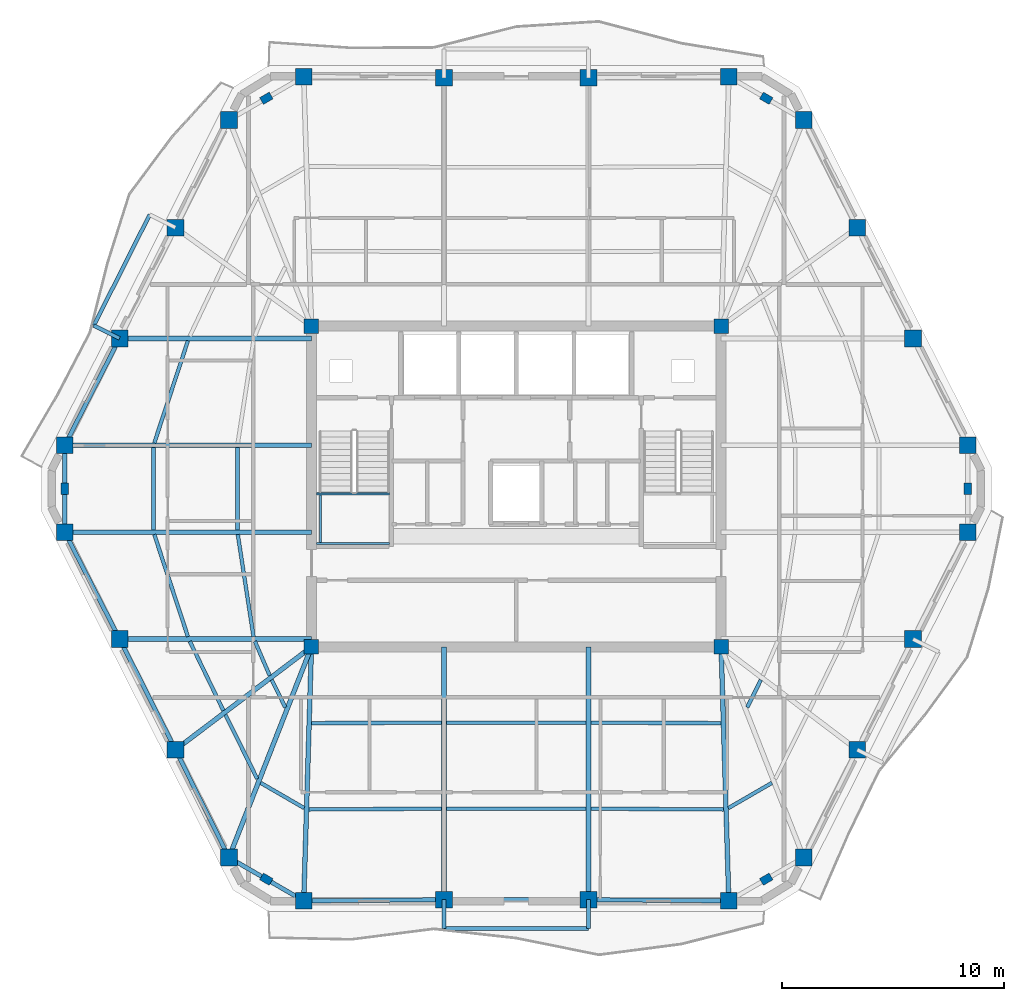
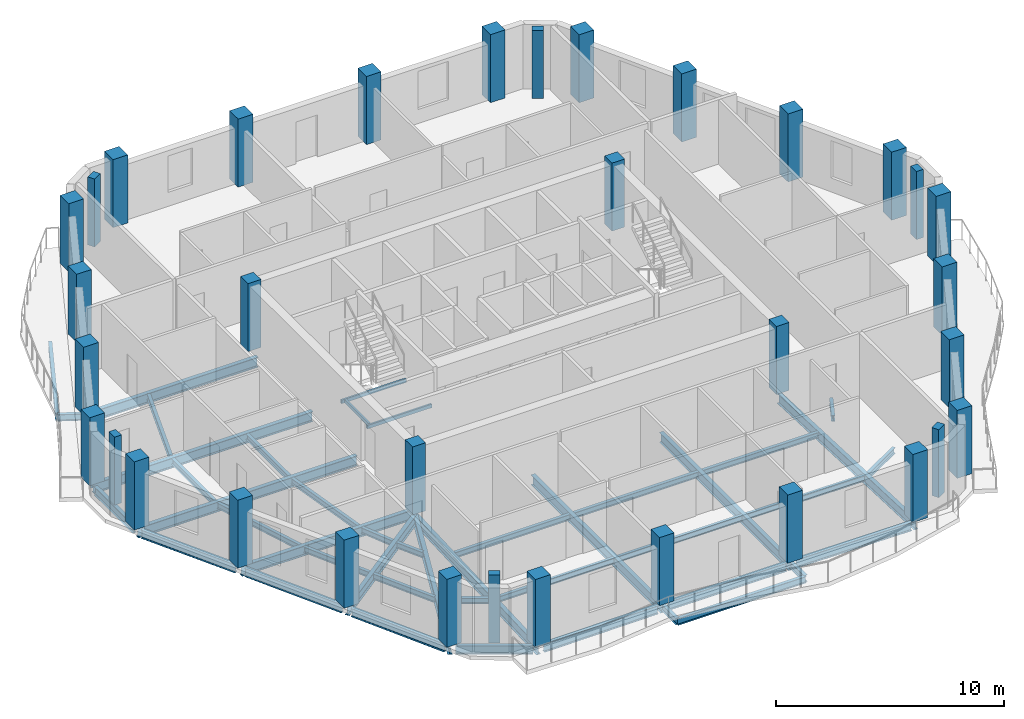
# One storey, part 1 of 11: 45 beams, 34 columns.
"""IFC4 building model written with IfcOpenShell, lengths in metres."""

from ifc_helpers import new_model, si_unit, direction, frame, origin, origin_2d, place, context, subcontext, project, spatial, rectangle, hollow_rectangle, i_section, extrude, material, material_profile, profile_set, type_object, element, save


model = new_model("IFC4")

# Units and contexts
model_context = context("Model", 3, precision=1e-05, world=origin(), true_north=direction((0.0, 1.0)))
body_context = subcontext(model_context, "Body", "Model", "MODEL_VIEW")
ifc_project = project(units=[si_unit("LENGTHUNIT", "METRE"), si_unit("AREAUNIT", "SQUARE_METRE"), si_unit("VOLUMEUNIT", "CUBIC_METRE"), si_unit("PLANEANGLEUNIT", "RADIAN"), si_unit("MASSUNIT", "GRAM", prefix="KILO")], contexts=[model_context])

# Site, building, storey
site_placement = place(None, origin())
site = spatial("IfcSite", under=ifc_project, at=site_placement, CompositionType="ELEMENT")
building_placement = place(site_placement, origin())
building = spatial("IfcBuilding", under=site, at=building_placement, Name="Cinnabar Lancet Tower", CompositionType="ELEMENT")
storey_placement = place(building_placement, frame((0.0, 0.0, 234.300048828125)))
storey = spatial("IfcBuildingStorey", under=building, at=storey_placement, Name="L62", CompositionType="ELEMENT", Elevation=234.300048828125)

# Columns
ifc_material_1 = material(Name="Concrete C50/60", Category="concrete")
ifc_material_profile_1 = material_profile(ifc_material_1, rectangle(XDim=0.64990234375, YDim=0.64990234375, at=origin_2d()), Name="RC-COL 650x650")
ifc_profile_set_1 = profile_set([ifc_material_profile_1], Name="Concrete C50/60")
column_type_1 = type_object("IfcColumnType", Name="STR-COL-CORE-650B", PredefinedType="COLUMN", material=ifc_profile_set_1)
for number, where, z_axis, x_axis, name in (
    (1, (23.175048828125, 18.675048828125, 0.0), (0.0, 0.0, 1.0), (1.0, 0.0, 0.0), "L62 Core Corner Column SW"),
    (2, (41.625, 18.675048828125, 0.0), (0.0, 0.0, 1.0), (1.0, 0.0, 0.0), "L62 Core Corner Column SE"),
    (3, (41.625, 33.125, 0.0), (0.0, 0.0, 1.0), (1.0, 0.0, 0.0), "L62 Core Corner Column NE"),
    (4, (23.175048828125, 33.125, 0.0), (0.0, 0.0, 1.0), (1.0, 0.0, 0.0), "L62 Core Corner Column NW"),
):
    element("IfcColumn", number, at=place(storey_placement, frame(where, z_axis=z_axis, x_axis=x_axis)), inside=storey, type_object=column_type_1, Name=name, PredefinedType="COLUMN", context=body_context, shape_type="SweptSolid", body=[
        extrude(rectangle(XDim=0.64990234375, YDim=0.64990234375, at=origin_2d()), origin(), (0.0, 0.0, 1.0), 3.64990234375),
    ])
ifc_material_2 = material(Name="Concrete C60/75", Category="concrete")
ifc_material_profile_2 = material_profile(ifc_material_2, rectangle(XDim=0.5, YDim=0.35009765625, at=origin_2d()), Name="RC-PIL 500x350")
ifc_profile_set_2 = profile_set([ifc_material_profile_2], Name="Concrete C60/75")
column_type_2 = type_object("IfcColumnType", Name="STR-COL-PIL-500", PredefinedType="PILASTER", material=ifc_profile_set_2)
for number, where, z_axis, x_axis, name in (
    (5, (21.14306640625, 8.215087890625, 0.0), (0.0, 0.0, 1.0), (0.865256437757, -0.501329529272, 0.0), "L62 Chamfered Corner Pilaster 1"),
    (6, (43.656982421875, 8.215087890625, 0.0), (0.0, 0.0, 1.0), (0.865256437757, 0.501329529272, 0.0), "L62 Chamfered Corner Pilaster 2"),
    (7, (52.737060546875, 25.800048828125, 0.0), (0.0, 0.0, 1.0), (0.0, 1.0, 0.0), "L62 Chamfered Corner Pilaster 3"),
    (8, (43.656982421875, 43.385009765625, 0.0), (0.0, 0.0, 1.0), (-0.865256437757, 0.501329529272, 0.0), "L62 Chamfered Corner Pilaster 4"),
    (9, (21.14306640625, 43.385009765625, 0.0), (0.0, 0.0, 1.0), (-0.865256437757, -0.501329529272, 0.0), "L62 Chamfered Corner Pilaster 5"),
    (10, (12.06298828125, 25.800048828125, 0.0), (0.0, 0.0, 1.0), (0.0, -1.0, 0.0), "L62 Chamfered Corner Pilaster 6"),
):
    element("IfcColumn", number, at=place(storey_placement, frame(where, z_axis=z_axis, x_axis=x_axis)), inside=storey, type_object=column_type_2, Name=name, PredefinedType="PILASTER", context=body_context, shape_type="SweptSolid", body=[
        extrude(rectangle(XDim=0.5, YDim=0.35009765625, at=origin_2d()), origin(), (0.0, 0.0, 1.0), 3.64990234375),
    ])
ifc_material_3 = material(Name="Concrete C50/60", Category="concrete")
ifc_material_profile_3 = material_profile(ifc_material_3, rectangle(XDim=0.75, YDim=0.75, at=origin_2d()), Name="RC-COL 750x750")
ifc_profile_set_3 = profile_set([ifc_material_profile_3], Name="Concrete C50/60")
column_type_3 = type_object("IfcColumnType", Name="STR-COL-TUBE-750", PredefinedType="COLUMN", material=ifc_profile_set_3)
for number, where, z_axis, x_axis, name in (
    (11, (22.827880859375, 7.239013671875, 0.0), (0.0, 0.0, 1.0), (1.0, 0.0, 0.0), "L62 Perimeter Tube Column 1"),
    (12, (29.14599609375, 7.2919921875, 0.0), (0.0, 0.0, 1.0), (1.0, 0.0, 0.0), "L62 Perimeter Tube Column 2"),
    (13, (35.654052734375, 7.2919921875, 0.0), (0.0, 0.0, 1.0), (1.0, 0.0, 0.0), "L62 Perimeter Tube Column 3"),
    (14, (41.971923828125, 7.239013671875, 0.0), (0.0, 0.0, 1.0), (1.0, 0.0, 0.0), "L62 Perimeter Tube Column 4"),
    (15, (45.341064453125, 9.19091796875, 0.0), (0.0, 0.0, 1.0), (1.0, 0.0, 0.0), "L62 Perimeter Tube Column 5"),
    (16, (47.7490234375, 14.0458984375, 0.0), (0.0, 0.0, 1.0), (1.0, 0.0, 0.0), "L62 Perimeter Tube Column 6"),
    (17, (50.263916015625, 19.032958984375, 0.0), (0.0, 0.0, 1.0), (1.0, 0.0, 0.0), "L62 Perimeter Tube Column 7"),
    (18, (52.737060546875, 23.844970703125, 0.0), (0.0, 0.0, 1.0), (1.0, 0.0, 0.0), "L62 Perimeter Tube Column 8"),
    (19, (52.737060546875, 27.7548828125, 0.0), (0.0, 0.0, 1.0), (1.0, 0.0, 0.0), "L62 Perimeter Tube Column 9"),
    (20, (50.263916015625, 32.56689453125, 0.0), (0.0, 0.0, 1.0), (1.0, 0.0, 0.0), "L62 Perimeter Tube Column 10"),
    (21, (47.7490234375, 37.553955078125, 0.0), (0.0, 0.0, 1.0), (1.0, 0.0, 0.0), "L62 Perimeter Tube Column 11"),
    (22, (45.341064453125, 42.408935546875, 0.0), (0.0, 0.0, 1.0), (1.0, 0.0, 0.0), "L62 Perimeter Tube Column 12"),
    (23, (41.971923828125, 44.361083984375, 0.0), (0.0, 0.0, 1.0), (1.0, 0.0, 0.0), "L62 Perimeter Tube Column 13"),
    (24, (35.654052734375, 44.30810546875, 0.0), (0.0, 0.0, 1.0), (1.0, 0.0, 0.0), "L62 Perimeter Tube Column 14"),
    (25, (29.14599609375, 44.30810546875, 0.0), (0.0, 0.0, 1.0), (1.0, 0.0, 0.0), "L62 Perimeter Tube Column 15"),
    (26, (22.827880859375, 44.361083984375, 0.0), (0.0, 0.0, 1.0), (1.0, 0.0, 0.0), "L62 Perimeter Tube Column 16"),
    (27, (19.458984375, 42.408935546875, 0.0), (0.0, 0.0, 1.0), (1.0, 0.0, 0.0), "L62 Perimeter Tube Column 17"),
    (28, (17.051025390625, 37.553955078125, 0.0), (0.0, 0.0, 1.0), (1.0, 0.0, 0.0), "L62 Perimeter Tube Column 18"),
    (29, (14.535888671875, 32.56689453125, 0.0), (0.0, 0.0, 1.0), (1.0, 0.0, 0.0), "L62 Perimeter Tube Column 19"),
    (30, (12.06298828125, 27.7548828125, 0.0), (0.0, 0.0, 1.0), (1.0, 0.0, 0.0), "L62 Perimeter Tube Column 20"),
    (31, (12.06298828125, 23.844970703125, 0.0), (0.0, 0.0, 1.0), (1.0, 0.0, 0.0), "L62 Perimeter Tube Column 21"),
    (32, (14.535888671875, 19.032958984375, 0.0), (0.0, 0.0, 1.0), (1.0, 0.0, 0.0), "L62 Perimeter Tube Column 22"),
    (33, (17.051025390625, 14.0458984375, 0.0), (0.0, 0.0, 1.0), (1.0, 0.0, 0.0), "L62 Perimeter Tube Column 23"),
    (34, (19.458984375, 9.19091796875, 0.0), (0.0, 0.0, 1.0), (1.0, 0.0, 0.0), "L62 Perimeter Tube Column 24"),
):
    element("IfcColumn", number, at=place(storey_placement, frame(where, z_axis=z_axis, x_axis=x_axis)), inside=storey, type_object=column_type_3, Name=name, PredefinedType="COLUMN", context=body_context, shape_type="SweptSolid", body=[
        extrude(rectangle(XDim=0.75, YDim=0.75, at=origin_2d()), origin(), (0.0, 0.0, 1.0), 3.64990234375),
    ])

# Beams
ifc_material_4 = material(Name="Structural steel S355", Category="steel")
ifc_material_profile_4 = material_profile(ifc_material_4, i_section(OverallWidth=0.1650390625, OverallDepth=0.303466796875, WebThickness=0.006103515625, FlangeThickness=0.01025390625, FilletRadius=0.0087890625, at=origin_2d()), Name="UKB 305x165x40")
ifc_profile_set_4 = profile_set([ifc_material_profile_4], Name="Structural steel S355")
beam_type_1 = type_object("IfcBeamType", Name="STR-BM-JST-305", PredefinedType="JOIST", material=ifc_profile_set_4)
beam_1_placement = place(storey_placement, frame((16.097900390625, 23.739990234375, -0.35205078125), z_axis=(0.312536616989, -0.949905712711, 0.0), x_axis=(0.949905712711, 0.312536616989, 0.0)))
element("IfcBeam", 35, at=beam_1_placement, inside=storey, type_object=beam_type_1, Name="L62 Secondary Floor Joist 1", PredefinedType="JOIST", context=body_context, shape_type="SweptSolid", body=[
    extrude(i_section(OverallWidth=0.1650390625, OverallDepth=0.303466796875, WebThickness=0.006103515625, FlangeThickness=0.01025390625, FilletRadius=0.0087890625, at=origin_2d()), origin(), (0.0, 0.0, 1.0), 4.8447265625),
])
beam_2_placement = place(storey_placement, frame((19.85791015625, 23.739990234375, -0.35205078125), z_axis=(0.152262059154, -0.988340156698, 0.0), x_axis=(0.988340156698, 0.152262059154, 0.0)))
element("IfcBeam", 36, at=beam_2_placement, inside=storey, type_object=beam_type_1, Name="L62 Secondary Floor Joist 2", PredefinedType="JOIST", context=body_context, shape_type="SweptSolid", body=[
    extrude(i_section(OverallWidth=0.1650390625, OverallDepth=0.303466796875, WebThickness=0.006103515625, FlangeThickness=0.01025390625, FilletRadius=0.0087890625, at=origin_2d()), origin(), (0.0, 0.0, 1.0), 4.65625),
])
beam_3_placement = place(storey_placement, frame((17.697021484375, 18.927978515625, -0.35205078125), z_axis=(0.43610936109, -0.899893674369, 0.0), x_axis=(0.899893674369, 0.43610936109, 0.0)))
element("IfcBeam", 37, at=beam_3_placement, inside=storey, type_object=beam_type_1, Name="L62 Secondary Floor Joist 3", PredefinedType="JOIST", context=body_context, shape_type="SweptSolid", body=[
    extrude(i_section(OverallWidth=0.1650390625, OverallDepth=0.303466796875, WebThickness=0.006103515625, FlangeThickness=0.01025390625, FilletRadius=0.0087890625, at=origin_2d()), origin(), (0.0, 0.0, 1.0), 3.467041015625),
])
beam_4_placement = place(storey_placement, frame((20.62890625, 18.927978515625, -0.35205078125), z_axis=(0.396302440144, -0.91812002262, 0.0), x_axis=(0.91812002262, 0.396302440144, 0.0)))
element("IfcBeam", 38, at=beam_4_placement, inside=storey, type_object=beam_type_1, Name="L62 Secondary Floor Joist 4", PredefinedType="JOIST", context=body_context, shape_type="SweptSolid", body=[
    extrude(i_section(OverallWidth=0.1650390625, OverallDepth=0.303466796875, WebThickness=0.006103515625, FlangeThickness=0.01025390625, FilletRadius=0.0087890625, at=origin_2d()), origin(), (0.0, 0.0, 1.0), 1.6806640625),
])
beam_5_placement = place(storey_placement, frame((19.302978515625, 15.616943359375, -0.35205078125), z_axis=(0.444330443712, -0.895862967641, 0.0), x_axis=(0.895862967641, 0.444330443712, 0.0)))
element("IfcBeam", 39, at=beam_5_placement, inside=storey, type_object=beam_type_1, Name="L62 Secondary Floor Joist 5", PredefinedType="JOIST", context=body_context, shape_type="SweptSolid", body=[
    extrude(i_section(OverallWidth=0.1650390625, OverallDepth=0.303466796875, WebThickness=0.006103515625, FlangeThickness=0.01025390625, FilletRadius=0.0087890625, at=origin_2d()), origin(), (0.0, 0.0, 1.0), 3.220458984375),
])
beam_6_placement = place(storey_placement, frame((21.385009765625, 17.19091796875, -0.35205078125), z_axis=(0.444093192127, -0.89598060063, 0.0), x_axis=(0.89598060063, 0.444093192127, 0.0)))
element("IfcBeam", 40, at=beam_6_placement, inside=storey, type_object=beam_type_1, Name="L62 Secondary Floor Joist 6", PredefinedType="JOIST", context=body_context, shape_type="SweptSolid", body=[
    extrude(i_section(OverallWidth=0.1650390625, OverallDepth=0.303466796875, WebThickness=0.006103515625, FlangeThickness=0.01025390625, FilletRadius=0.0087890625, at=origin_2d()), origin(), (0.0, 0.0, 1.0), 1.378173828125),
])
beam_7_placement = place(storey_placement, frame((20.887939453125, 12.552001953125, -0.35205078125), z_axis=(0.865426285481, -0.501036270542, 0.0), x_axis=(0.501036270542, 0.865426285481, 0.0)))
element("IfcBeam", 41, at=beam_7_placement, inside=storey, type_object=beam_type_1, Name="L62 Secondary Floor Joist 7", PredefinedType="JOIST", context=body_context, shape_type="SweptSolid", body=[
    extrude(i_section(OverallWidth=0.1650390625, OverallDepth=0.303466796875, WebThickness=0.006103515625, FlangeThickness=0.01025390625, FilletRadius=0.0087890625, at=origin_2d()), origin(), (0.0, 0.0, 1.0), 2.267333984375),
])
beam_8_placement = place(storey_placement, frame((23.05810546875, 11.35693359375, -0.35205078125), z_axis=(0.999985712428, 0.005345553266, 0.0), x_axis=(-0.005345553266, 0.999985712428, 0.0)))
element("IfcBeam", 42, at=beam_8_placement, inside=storey, type_object=beam_type_1, Name="L62 Secondary Floor Joist 8", PredefinedType="JOIST", context=body_context, shape_type="SweptSolid", body=[
    extrude(i_section(OverallWidth=0.1650390625, OverallDepth=0.303466796875, WebThickness=0.006103515625, FlangeThickness=0.01025390625, FilletRadius=0.0087890625, at=origin_2d()), origin(), (0.0, 0.0, 1.0), 5.98291015625),
])
beam_9_placement = place(storey_placement, frame((23.176025390625, 15.243896484375, -0.35205078125), z_axis=(0.999996226008, 0.002747356738, 0.0), x_axis=(-0.002747356738, 0.999996226008, 0.0)))
element("IfcBeam", 43, at=beam_9_placement, inside=storey, type_object=beam_type_1, Name="L62 Secondary Floor Joist 9", PredefinedType="JOIST", context=body_context, shape_type="SweptSolid", body=[
    extrude(i_section(OverallWidth=0.1650390625, OverallDepth=0.303466796875, WebThickness=0.006103515625, FlangeThickness=0.01025390625, FilletRadius=0.0087890625, at=origin_2d()), origin(), (0.0, 0.0, 1.0), 5.864990234375),
])
for number, where, z_axis, x_axis, name in (
    (44, (29.2509765625, 11.389892578125, -0.35205078125), (1.0, 0.0, 0.0), (0.0, 1.0, 0.0), "L62 Secondary Floor Joist 10"),
    (45, (29.2509765625, 15.260009765625, -0.35205078125), (1.0, 0.0, 0.0), (0.0, 1.0, 0.0), "L62 Secondary Floor Joist 11"),
):
    element("IfcBeam", number, at=place(storey_placement, frame(where, z_axis=z_axis, x_axis=x_axis)), inside=storey, type_object=beam_type_1, Name=name, PredefinedType="JOIST", context=body_context, shape_type="SweptSolid", body=[
        extrude(i_section(OverallWidth=0.1650390625, OverallDepth=0.303466796875, WebThickness=0.006103515625, FlangeThickness=0.01025390625, FilletRadius=0.0087890625, at=origin_2d()), origin(), (0.0, 0.0, 1.0), 6.298095703125),
    ])
beam_10_placement = place(storey_placement, frame((35.759033203125, 11.388916015625, -0.35205078125), z_axis=(0.999985712428, -0.005345553266, 0.0), x_axis=(0.005345553266, 0.999985712428, 0.0)))
element("IfcBeam", 46, at=beam_10_placement, inside=storey, type_object=beam_type_1, Name="L62 Secondary Floor Joist 12", PredefinedType="JOIST", context=body_context, shape_type="SweptSolid", body=[
    extrude(i_section(OverallWidth=0.1650390625, OverallDepth=0.303466796875, WebThickness=0.006103515625, FlangeThickness=0.01025390625, FilletRadius=0.0087890625, at=origin_2d()), origin(), (0.0, 0.0, 1.0), 5.98291015625),
])
beam_11_placement = place(storey_placement, frame((35.759033203125, 15.260009765625, -0.35205078125), z_axis=(0.999996226008, -0.002747356738, 0.0), x_axis=(0.002747356738, 0.999996226008, 0.0)))
element("IfcBeam", 47, at=beam_11_placement, inside=storey, type_object=beam_type_1, Name="L62 Secondary Floor Joist 13", PredefinedType="JOIST", context=body_context, shape_type="SweptSolid", body=[
    extrude(i_section(OverallWidth=0.1650390625, OverallDepth=0.303466796875, WebThickness=0.006103515625, FlangeThickness=0.01025390625, FilletRadius=0.0087890625, at=origin_2d()), origin(), (0.0, 0.0, 1.0), 5.864990234375),
])
beam_12_placement = place(storey_placement, frame((41.949951171875, 11.416015625, -0.35205078125), z_axis=(0.865426285481, 0.501036270542, 0.0), x_axis=(-0.501036270542, 0.865426285481, 0.0)))
element("IfcBeam", 48, at=beam_12_placement, inside=storey, type_object=beam_type_1, Name="L62 Secondary Floor Joist 14", PredefinedType="JOIST", context=body_context, shape_type="SweptSolid", body=[
    extrude(i_section(OverallWidth=0.1650390625, OverallDepth=0.303466796875, WebThickness=0.006103515625, FlangeThickness=0.01025390625, FilletRadius=0.0087890625, at=origin_2d()), origin(), (0.0, 0.0, 1.0), 2.267333984375),
])
beam_13_placement = place(storey_placement, frame((42.802978515625, 15.9560546875, -0.35205078125), z_axis=(0.444093192127, 0.89598060063, 0.0), x_axis=(-0.89598060063, 0.444093192127, 0.0)))
element("IfcBeam", 49, at=beam_13_placement, inside=storey, type_object=beam_type_1, Name="L62 Secondary Floor Joist 16", PredefinedType="JOIST", context=body_context, shape_type="SweptSolid", body=[
    extrude(i_section(OverallWidth=0.1650390625, OverallDepth=0.303466796875, WebThickness=0.006103515625, FlangeThickness=0.01025390625, FilletRadius=0.0087890625, at=origin_2d()), origin(), (0.0, 0.0, 1.0), 1.378173828125),
])
beam_14_placement = place(storey_placement, frame((17.612060546875, 32.4619140625, -0.35205078125), z_axis=(-0.312551578319, -0.949900790025, 0.0), x_axis=(0.949900790025, -0.312551578319, 0.0)))
element("IfcBeam", 50, at=beam_14_placement, inside=storey, type_object=beam_type_1, Name="L62 Secondary Floor Joist 41", PredefinedType="JOIST", context=body_context, shape_type="SweptSolid", body=[
    extrude(i_section(OverallWidth=0.1650390625, OverallDepth=0.303466796875, WebThickness=0.006103515625, FlangeThickness=0.01025390625, FilletRadius=0.0087890625, at=origin_2d()), origin(), (0.0, 0.0, 1.0), 4.844482421875),
])
for number, where, z_axis, x_axis, name in (
    (51, (16.06298828125, 27.64990234375, -0.35205078125), (0.0, -1.0, 0.0), (1.0, 0.0, 0.0), "L62 Secondary Floor Joist 43"),
    (52, (19.841064453125, 27.64990234375, -0.35205078125), (0.0, -1.0, 0.0), (1.0, 0.0, 0.0), "L62 Secondary Floor Joist 44"),
):
    element("IfcBeam", number, at=place(storey_placement, frame(where, z_axis=z_axis, x_axis=x_axis)), inside=storey, type_object=beam_type_1, Name=name, PredefinedType="JOIST", context=body_context, shape_type="SweptSolid", body=[
        extrude(i_section(OverallWidth=0.1650390625, OverallDepth=0.303466796875, WebThickness=0.006103515625, FlangeThickness=0.01025390625, FilletRadius=0.0087890625, at=origin_2d()), origin(), (0.0, 0.0, 1.0), 3.699951171875),
    ])
ifc_material_5 = material(Name="Structural steel S355", Category="steel")
ifc_material_profile_5 = material_profile(ifc_material_5, hollow_rectangle(XDim=0.10009765625, YDim=0.199951171875, WallThickness=0.008056640625, InnerFilletRadius=0.00390625, OuterFilletRadius=0.011962890625, at=origin_2d()), Name="RHS 200x100x8")
ifc_profile_set_5 = profile_set([ifc_material_profile_5], Name="Structural steel S355")
beam_type_2 = type_object("IfcBeamType", Name="STR-BM-LND-203", PredefinedType="BEAM", material=ifc_profile_set_5)
for number, where, z_axis, x_axis, name in (
    (53, (23.39990234375, 23.330078125, 1.52490234375), (1.0, 0.0, 0.0), (0.0, 1.0, 0.0), "L62 ST-1-L62 Landing Support Beam S"),
    (54, (23.39990234375, 25.570068359375, 1.52490234375), (1.0, 0.0, 0.0), (0.0, 1.0, 0.0), "L62 ST-1-L62 Landing Support Beam N"),
):
    element("IfcBeam", number, at=place(storey_placement, frame(where, z_axis=z_axis, x_axis=x_axis)), inside=storey, type_object=beam_type_2, Name=name, PredefinedType="BEAM", context=body_context, shape_type="SweptSolid", body=[
        extrude(hollow_rectangle(XDim=0.10009765625, YDim=0.199951171875, WallThickness=0.008056640625, InnerFilletRadius=0.00390625, OuterFilletRadius=0.011962890625, at=origin_2d()), origin(), (0.0, 0.0, 1.0), 3.280029296875),
    ])
beam_15_placement = place(storey_placement, frame((23.580078125, 23.3798828125, 1.52490234375), z_axis=(0.0, 1.0, 0.0), x_axis=(-1.0, 0.0, 0.0)))
element("IfcBeam", 55, at=beam_15_placement, inside=storey, type_object=beam_type_2, Name="L62 ST-1-L62 Landing Side Trimmer Beam", PredefinedType="BEAM", context=body_context, shape_type="SweptSolid", body=[
    extrude(hollow_rectangle(XDim=0.10009765625, YDim=0.199951171875, WallThickness=0.008056640625, InnerFilletRadius=0.00390625, OuterFilletRadius=0.011962890625, at=origin_2d()), origin(), (0.0, 0.0, 1.0), 2.14013671875),
])
ifc_material_6 = material(Name="Structural steel S355", Category="steel")
ifc_material_profile_6 = material_profile(ifc_material_6, i_section(OverallWidth=0.1904296875, OverallDepth=0.45703125, WebThickness=0.009033203125, FlangeThickness=0.014404296875, FilletRadius=0.01025390625, at=origin_2d()), Name="UKB 457x191x74")
ifc_profile_set_6 = profile_set([ifc_material_profile_6], Name="Structural steel S355")
beam_type_3 = type_object("IfcBeamType", Name="STR-BM-SPN-457", PredefinedType="SPANDREL", material=ifc_profile_set_6)
beam_16_placement = place(storey_placement, frame((23.077880859375, 7.240966796875, -0.428955078125), z_axis=(0.999964432412, 0.008434092187, 0.0), x_axis=(-0.008434092187, 0.999964432412, 0.0)))
element("IfcBeam", 56, at=beam_16_placement, inside=storey, type_object=beam_type_3, Name="L62 Perimeter Spandrel 1", PredefinedType="SPANDREL", context=body_context, shape_type="SweptSolid", body=[
    extrude(i_section(OverallWidth=0.1904296875, OverallDepth=0.45703125, WebThickness=0.009033203125, FlangeThickness=0.014404296875, FilletRadius=0.01025390625, at=origin_2d()), origin(), (0.0, 0.0, 1.0), 5.818359375),
])
beam_17_placement = place(storey_placement, frame((29.39599609375, 7.2919921875, -0.428955078125), z_axis=(1.0, 0.0, 0.0), x_axis=(0.0, 1.0, 0.0)))
element("IfcBeam", 57, at=beam_17_placement, inside=storey, type_object=beam_type_3, Name="L62 Perimeter Spandrel 2", PredefinedType="SPANDREL", context=body_context, shape_type="SweptSolid", body=[
    extrude(i_section(OverallWidth=0.1904296875, OverallDepth=0.45703125, WebThickness=0.009033203125, FlangeThickness=0.014404296875, FilletRadius=0.01025390625, at=origin_2d()), origin(), (0.0, 0.0, 1.0), 6.008056640625),
])
beam_18_placement = place(storey_placement, frame((35.904052734375, 7.2900390625, -0.428955078125), z_axis=(0.999964429427, -0.00843444609, 0.0), x_axis=(0.00843444609, 0.999964429427, 0.0)))
element("IfcBeam", 58, at=beam_18_placement, inside=storey, type_object=beam_type_3, Name="L62 Perimeter Spandrel 3", PredefinedType="SPANDREL", context=body_context, shape_type="SweptSolid", body=[
    extrude(i_section(OverallWidth=0.1904296875, OverallDepth=0.45703125, WebThickness=0.009033203125, FlangeThickness=0.014404296875, FilletRadius=0.01025390625, at=origin_2d()), origin(), (0.0, 0.0, 1.0), 5.818115234375),
])
beam_19_placement = place(storey_placement, frame((14.422119140625, 32.344970703125, -0.428955078125), z_axis=(-0.457148063427, -0.889390604912, 0.0), x_axis=(0.889390604912, -0.457148063427, 0.0)))
element("IfcBeam", 59, at=beam_19_placement, inside=storey, type_object=beam_type_3, Name="L62 Perimeter Spandrel 19", PredefinedType="SPANDREL", context=body_context, shape_type="SweptSolid", body=[
    extrude(i_section(OverallWidth=0.1904296875, OverallDepth=0.45703125, WebThickness=0.009033203125, FlangeThickness=0.014404296875, FilletRadius=0.01025390625, at=origin_2d()), origin(), (0.0, 0.0, 1.0), 4.9111328125),
])
beam_20_placement = place(storey_placement, frame((12.06298828125, 27.5048828125, -0.428955078125), z_axis=(0.0, -1.0, 0.0), x_axis=(1.0, 0.0, 0.0)))
element("IfcBeam", 60, at=beam_20_placement, inside=storey, type_object=beam_type_3, Name="L62 Perimeter Spandrel 20", PredefinedType="SPANDREL", context=body_context, shape_type="SweptSolid", body=[
    extrude(i_section(OverallWidth=0.1904296875, OverallDepth=0.45703125, WebThickness=0.009033203125, FlangeThickness=0.014404296875, FilletRadius=0.01025390625, at=origin_2d()), origin(), (0.0, 0.0, 1.0), 3.409912109375),
])
beam_21_placement = place(storey_placement, frame((12.177001953125, 23.623046875, -0.428955078125), z_axis=(0.457127852293, -0.889400993174, 0.0), x_axis=(0.889400993174, 0.457127852293, 0.0)))
element("IfcBeam", 61, at=beam_21_placement, inside=storey, type_object=beam_type_3, Name="L62 Perimeter Spandrel 21", PredefinedType="SPANDREL", context=body_context, shape_type="SweptSolid", body=[
    extrude(i_section(OverallWidth=0.1904296875, OverallDepth=0.45703125, WebThickness=0.009033203125, FlangeThickness=0.014404296875, FilletRadius=0.01025390625, at=origin_2d()), origin(), (0.0, 0.0, 1.0), 4.911376953125),
])
beam_22_placement = place(storey_placement, frame((14.64892578125, 18.81005859375, -0.428955078125), z_axis=(0.450130146726, -0.892962961722, 0.0), x_axis=(0.892962961722, 0.450130146726, 0.0)))
element("IfcBeam", 62, at=beam_22_placement, inside=storey, type_object=beam_type_3, Name="L62 Perimeter Spandrel 22", PredefinedType="SPANDREL", context=body_context, shape_type="SweptSolid", body=[
    extrude(i_section(OverallWidth=0.1904296875, OverallDepth=0.45703125, WebThickness=0.009033203125, FlangeThickness=0.014404296875, FilletRadius=0.01025390625, at=origin_2d()), origin(), (0.0, 0.0, 1.0), 5.08544921875),
])
beam_23_placement = place(storey_placement, frame((17.162109375, 13.822021484375, -0.428955078125), z_axis=(0.44433276947, -0.895861814107, 0.0), x_axis=(0.895861814107, 0.44433276947, 0.0)))
element("IfcBeam", 63, at=beam_23_placement, inside=storey, type_object=beam_type_3, Name="L62 Perimeter Spandrel 23", PredefinedType="SPANDREL", context=body_context, shape_type="SweptSolid", body=[
    extrude(i_section(OverallWidth=0.1904296875, OverallDepth=0.45703125, WebThickness=0.009033203125, FlangeThickness=0.014404296875, FilletRadius=0.01025390625, at=origin_2d()), origin(), (0.0, 0.0, 1.0), 4.919189453125),
])
beam_24_placement = place(storey_placement, frame((19.675048828125, 9.06591796875, -0.428955078125), z_axis=(0.865230894194, -0.50137361292, 0.0), x_axis=(0.50137361292, 0.865230894194, 0.0)))
element("IfcBeam", 64, at=beam_24_placement, inside=storey, type_object=beam_type_3, Name="L62 Perimeter Spandrel 24", PredefinedType="SPANDREL", context=body_context, shape_type="SweptSolid", body=[
    extrude(i_section(OverallWidth=0.1904296875, OverallDepth=0.45703125, WebThickness=0.009033203125, FlangeThickness=0.014404296875, FilletRadius=0.01025390625, at=origin_2d()), origin(), (0.0, 0.0, 1.0), 3.39453125),
])
ifc_material_7 = material(Name="Structural steel S355", Category="steel")
ifc_material_profile_7 = material_profile(ifc_material_7, i_section(OverallWidth=0.209228515625, OverallDepth=0.533203125, WebThickness=0.010009765625, FlangeThickness=0.015625, FilletRadius=0.0126953125, at=origin_2d()), Name="UKB 533x210x92")
ifc_profile_set_7 = profile_set([ifc_material_profile_7], Name="Structural steel S355")
beam_type_4 = type_object("IfcBeamType", Name="STR-BM-UKB533-92", PredefinedType="BEAM", material=ifc_profile_set_7)
beam_25_placement = place(storey_placement, frame((17.051025390625, 14.0458984375, -0.467041015625), z_axis=(0.797735075719, 0.603008083667, 0.0), x_axis=(-0.603008083667, 0.797735075719, 0.0)))
element("IfcBeam", 65, at=beam_25_placement, inside=storey, type_object=beam_type_4, Name="L62 Corner Collector Girder 1", PredefinedType="BEAM", context=body_context, shape_type="SweptSolid", body=[
    extrude(i_section(OverallWidth=0.209228515625, OverallDepth=0.533203125, WebThickness=0.010009765625, FlangeThickness=0.015625, FilletRadius=0.0126953125, at=origin_2d()), origin(), (0.0, 0.0, 1.0), 7.6767578125),
])
beam_26_placement = place(storey_placement, frame((22.827880859375, 7.239013671875, -0.467041015625), z_axis=(0.030343393029, 0.999539533235, 0.0), x_axis=(-0.999539533235, 0.030343393029, 0.0)))
element("IfcBeam", 66, at=beam_26_placement, inside=storey, type_object=beam_type_4, Name="L62 Primary Floor Girder 1", PredefinedType="BEAM", context=body_context, shape_type="SweptSolid", body=[
    extrude(i_section(OverallWidth=0.209228515625, OverallDepth=0.533203125, WebThickness=0.010009765625, FlangeThickness=0.015625, FilletRadius=0.0126953125, at=origin_2d()), origin(), (0.0, 0.0, 1.0), 11.44140625),
])
for number, where, z_axis, x_axis, name in (
    (67, (29.14599609375, 7.2919921875, -0.467041015625), (0.0, 1.0, 0.0), (-1.0, 0.0, 0.0), "L62 Primary Floor Girder 2"),
    (68, (35.654052734375, 7.2919921875, -0.467041015625), (0.0, 1.0, 0.0), (-1.0, 0.0, 0.0), "L62 Primary Floor Girder 3"),
):
    element("IfcBeam", number, at=place(storey_placement, frame(where, z_axis=z_axis, x_axis=x_axis)), inside=storey, type_object=beam_type_4, Name=name, PredefinedType="BEAM", context=body_context, shape_type="SweptSolid", body=[
        extrude(i_section(OverallWidth=0.209228515625, OverallDepth=0.533203125, WebThickness=0.010009765625, FlangeThickness=0.015625, FilletRadius=0.0126953125, at=origin_2d()), origin(), (0.0, 0.0, 1.0), 11.383056640625),
    ])
beam_27_placement = place(storey_placement, frame((41.971923828125, 7.239013671875, -0.467041015625), z_axis=(-0.030322074123, 0.999540180193, 0.0), x_axis=(-0.999540180193, -0.030322074123, 0.0)))
element("IfcBeam", 69, at=beam_27_placement, inside=storey, type_object=beam_type_4, Name="L62 Primary Floor Girder 4", PredefinedType="BEAM", context=body_context, shape_type="SweptSolid", body=[
    extrude(i_section(OverallWidth=0.209228515625, OverallDepth=0.533203125, WebThickness=0.010009765625, FlangeThickness=0.015625, FilletRadius=0.0126953125, at=origin_2d()), origin(), (0.0, 0.0, 1.0), 11.44140625),
])
beam_28_placement = place(storey_placement, frame((14.535888671875, 32.56689453125, -0.467041015625), z_axis=(1.0, 0.0, 0.0), x_axis=(0.0, 1.0, 0.0)))
element("IfcBeam", 70, at=beam_28_placement, inside=storey, type_object=beam_type_4, Name="L62 Primary Floor Girder 19", PredefinedType="BEAM", context=body_context, shape_type="SweptSolid", body=[
    extrude(i_section(OverallWidth=0.209228515625, OverallDepth=0.533203125, WebThickness=0.010009765625, FlangeThickness=0.015625, FilletRadius=0.0126953125, at=origin_2d()), origin(), (0.0, 0.0, 1.0), 8.63916015625),
])
for number, where, z_axis, x_axis, name in (
    (71, (12.06298828125, 27.7548828125, -0.467041015625), (1.0, 0.0, 0.0), (0.0, 1.0, 0.0), "L62 Primary Floor Girder 20"),
    (72, (12.06298828125, 23.844970703125, -0.467041015625), (1.0, 0.0, 0.0), (0.0, 1.0, 0.0), "L62 Primary Floor Girder 21"),
):
    element("IfcBeam", number, at=place(storey_placement, frame(where, z_axis=z_axis, x_axis=x_axis)), inside=storey, type_object=beam_type_4, Name=name, PredefinedType="BEAM", context=body_context, shape_type="SweptSolid", body=[
        extrude(i_section(OverallWidth=0.209228515625, OverallDepth=0.533203125, WebThickness=0.010009765625, FlangeThickness=0.015625, FilletRadius=0.0126953125, at=origin_2d()), origin(), (0.0, 0.0, 1.0), 11.112060546875),
    ])
beam_29_placement = place(storey_placement, frame((14.535888671875, 19.032958984375, -0.467041015625), z_axis=(1.0, 0.0, 0.0), x_axis=(0.0, 1.0, 0.0)))
element("IfcBeam", 73, at=beam_29_placement, inside=storey, type_object=beam_type_4, Name="L62 Primary Floor Girder 22", PredefinedType="BEAM", context=body_context, shape_type="SweptSolid", body=[
    extrude(i_section(OverallWidth=0.209228515625, OverallDepth=0.533203125, WebThickness=0.010009765625, FlangeThickness=0.015625, FilletRadius=0.0126953125, at=origin_2d()), origin(), (0.0, 0.0, 1.0), 8.63916015625),
])
beam_30_placement = place(storey_placement, frame((19.458984375, 9.19091796875, -0.467041015625), z_axis=(0.364815017375, 0.931080019707, 0.0), x_axis=(-0.931080019707, 0.364815017375, 0.0)))
element("IfcBeam", 74, at=beam_30_placement, inside=storey, type_object=beam_type_4, Name="L62 Primary Floor Girder 24", PredefinedType="BEAM", context=body_context, shape_type="SweptSolid", body=[
    extrude(i_section(OverallWidth=0.209228515625, OverallDepth=0.533203125, WebThickness=0.010009765625, FlangeThickness=0.015625, FilletRadius=0.0126953125, at=origin_2d()), origin(), (0.0, 0.0, 1.0), 10.186279296875),
])
ifc_material_8 = material(Name="Structural steel S355", Category="steel")
ifc_material_profile_8 = material_profile(ifc_material_8, i_section(OverallWidth=0.17138671875, OverallDepth=0.35498046875, WebThickness=0.00732421875, FlangeThickness=0.011474609375, FilletRadius=0.01025390625, at=origin_2d()), Name="UKB 356x171x51")
ifc_profile_set_8 = profile_set([ifc_material_profile_8], Name="Structural steel S355")
beam_type_5 = type_object("IfcBeamType", Name="STR-BM-WAV-OUT", PredefinedType="BEAM", material=ifc_profile_set_8)
for number, where, z_axis, x_axis, name in (
    (75, (29.14599609375, 7.2919921875, -0.39697265625), (0.0, -1.0, 0.0), (1.0, 0.0, 0.0), "L62 Face 1 Balcony Outlooker A"),
    (76, (35.654052734375, 7.2919921875, -0.39697265625), (0.0, -1.0, 0.0), (1.0, 0.0, 0.0), "L62 Face 1 Balcony Outlooker B"),
    (77, (14.535888671875, 32.56689453125, -0.39697265625), (-0.892200264127, 0.451639998995, 0.0), (-0.451639998995, -0.892200264127, 0.0), "L62 Face 5 Balcony Outlooker B"),
):
    element("IfcBeam", number, at=place(storey_placement, frame(where, z_axis=z_axis, x_axis=x_axis)), inside=storey, type_object=beam_type_5, Name=name, PredefinedType="BEAM", context=body_context, shape_type="SweptSolid", body=[
        extrude(i_section(OverallWidth=0.17138671875, OverallDepth=0.35498046875, WebThickness=0.00732421875, FlangeThickness=0.011474609375, FilletRadius=0.01025390625, at=origin_2d()), origin(), (0.0, 0.0, 1.0), 1.300048828125),
    ])
ifc_material_9 = material(Name="Structural steel S355", Category="steel")
ifc_material_profile_9 = material_profile(ifc_material_9, i_section(OverallWidth=0.17138671875, OverallDepth=0.35498046875, WebThickness=0.00732421875, FlangeThickness=0.011474609375, FilletRadius=0.01025390625, at=origin_2d()), Name="UKB 356x171x51")
ifc_profile_set_9 = profile_set([ifc_material_profile_9], Name="Structural steel S355")
beam_type_6 = type_object("IfcBeamType", Name="STR-BM-WAV-TRIM", PredefinedType="SPANDREL", material=ifc_profile_set_9)
beam_31_placement = place(storey_placement, frame((29.14599609375, 5.991943359375, -0.39697265625), z_axis=(1.0, 0.0, 0.0), x_axis=(0.0, 1.0, 0.0)))
element("IfcBeam", 78, at=beam_31_placement, inside=storey, type_object=beam_type_6, Name="L62 Face 1 Balcony Edge Trimmer", PredefinedType="SPANDREL", context=body_context, shape_type="SweptSolid", body=[
    extrude(i_section(OverallWidth=0.17138671875, OverallDepth=0.35498046875, WebThickness=0.00732421875, FlangeThickness=0.011474609375, FilletRadius=0.01025390625, at=origin_2d()), origin(), (0.0, 0.0, 1.0), 6.508056640625),
])
beam_32_placement = place(storey_placement, frame((15.89111328125, 38.14111328125, -0.39697265625), z_axis=(-0.450305622338, -0.892874485295, 0.0), x_axis=(0.892874485295, -0.450305622338, 0.0)))
element("IfcBeam", 79, at=beam_32_placement, inside=storey, type_object=beam_type_6, Name="L62 Face 5 Balcony Edge Trimmer", PredefinedType="SPANDREL", context=body_context, shape_type="SweptSolid", body=[
    extrude(i_section(OverallWidth=0.17138671875, OverallDepth=0.35498046875, WebThickness=0.00732421875, FlangeThickness=0.011474609375, FilletRadius=0.01025390625, at=origin_2d()), origin(), (0.0, 0.0, 1.0), 5.58544921875),
])

save(model, "model.ifc")
